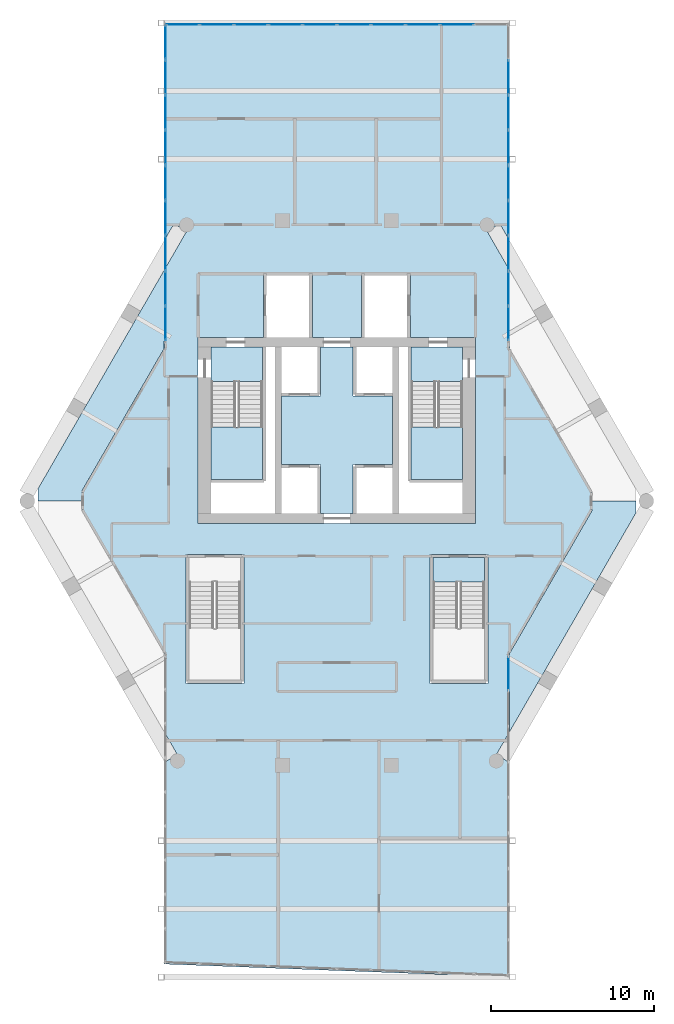
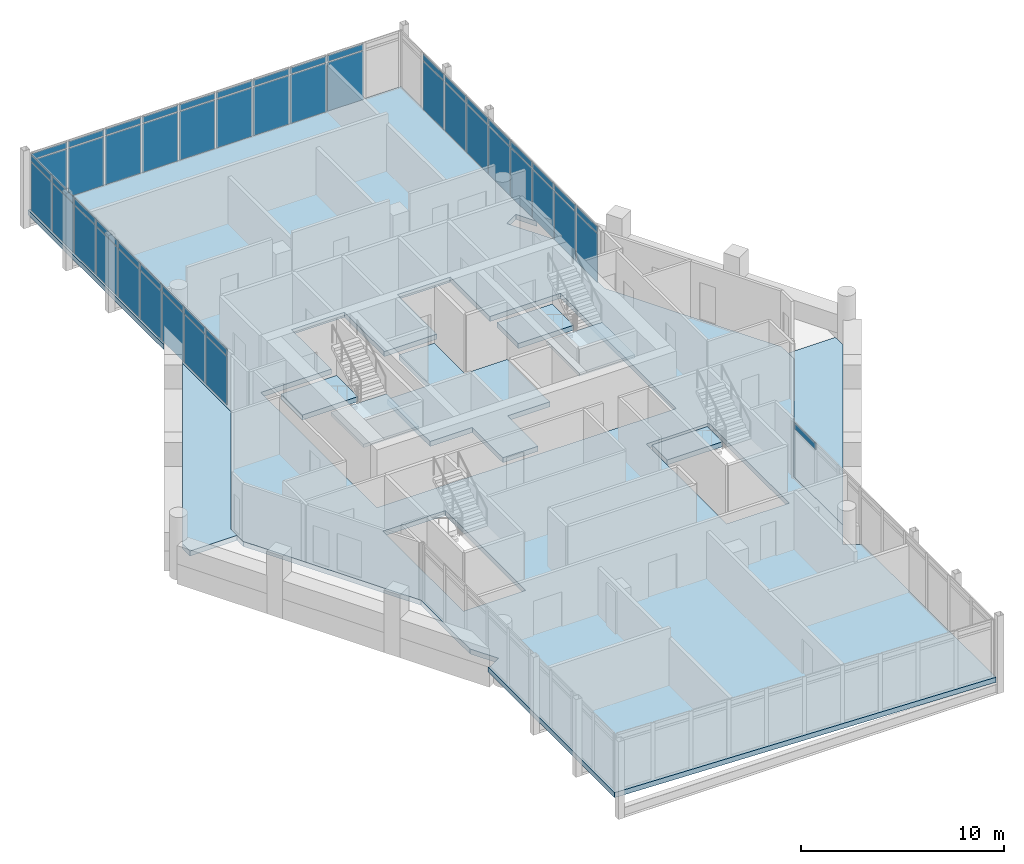
# One storey, part 19 of 25: 53 plates, 9 slabs, 6 elements without a shape of their own.
"""IFC4 building model written with IfcOpenShell, lengths in metres."""

import ifcopenshell
import ifcopenshell.guid

model = None  # the IFC model being written
_history = None  # IfcOwnerHistory: only IFC2X3 demands one
_inside = {}  # id of a spatial element -> (the spatial element, [elements in it])
_under = {}  # id of a project, library or spatial element -> (it, [spatial elements below it])
_declared = {}  # id of a project -> (the project, [libraries it declares])
_typed = {}  # id of a type object -> (the type object, [elements of that type])
_made_of = {}  # id of a material, layer set ... -> (it, [elements and type objects made of it])


def new_model(schema):
    """Start an empty IFC model of exactly this schema.

    Asked for "IFC4X3", IfcOpenShell would pick the latest addendum, in which some entities
    have other attributes; the version numbers below select the first issue.
    IFC2X3 requires an IfcOwnerHistory on every rooted entity: one is made here for all.
    """
    global model, _history
    if schema == "IFC4X3":
        model = ifcopenshell.file(schema_version=(4, 3, 0, 0))
    else:
        model = ifcopenshell.file(schema=schema)
    _inside.clear()
    _under.clear()
    _declared.clear()
    _typed.clear()
    _made_of.clear()
    _history = None
    if model.schema == "IFC2X3":
        org = make("IfcOrganization", Name="unknown")
        user = make(
            "IfcPersonAndOrganization",
            ThePerson=make("IfcPerson", FamilyName="unknown"),
            TheOrganization=org,
        )
        app = make(
            "IfcApplication",
            ApplicationDeveloper=org,
            Version="unknown",
            ApplicationFullName="unknown",
            ApplicationIdentifier="unknown",
        )
        _history = make(
            "IfcOwnerHistory",
            OwningUser=user,
            OwningApplication=app,
            ChangeAction="ADDED",
            CreationDate=0,
        )
    return model


def make(cls, **values):
    """One entity of the class cls with the attributes given. An attribute that is None is left unset."""
    return model.create_entity(
        cls, **{name: value for name, value in values.items() if value is not None}
    )


def rooted(cls, **values):
    """An entity with a GlobalId (a new one), such as an element, a storey or a relation."""
    return make(cls, GlobalId=ifcopenshell.guid.new(), OwnerHistory=_history, **values)


def si_unit(unit_type, name, prefix=None):
    """IfcSIUnit, for example si_unit("LENGTHUNIT", "METRE", prefix="MILLI")."""
    return make("IfcSIUnit", UnitType=unit_type, Prefix=prefix, Name=name)


def assignment(units):
    """IfcUnitAssignment: the units of a project."""
    return None if units is None else make("IfcUnitAssignment", Units=units)


def point(xyz):
    """IfcCartesianPoint."""
    return None if xyz is None else make("IfcCartesianPoint", Coordinates=xyz)


def direction(xyz):
    """IfcDirection."""
    return None if xyz is None else make("IfcDirection", DirectionRatios=xyz)


def frame(location, z_axis=None, x_axis=None):
    """IfcAxis2Placement3D, a coordinate frame: its origin and axes. An axis left out is left unset."""
    return make(
        "IfcAxis2Placement3D",
        Location=point(location),
        Axis=direction(z_axis),
        RefDirection=direction(x_axis),
    )


def frame_2d(location, x_axis=None):
    """IfcAxis2Placement2D, a coordinate frame in the plane: its origin and x axis."""
    return make(
        "IfcAxis2Placement2D", Location=point(location), RefDirection=direction(x_axis)
    )


def origin():
    """The frame at (0, 0, 0) with its axes left unset."""
    return frame((0.0, 0.0, 0.0))


def origin_2d():
    """The frame at (0, 0) in the plane with its x axis left unset."""
    return frame_2d((0.0, 0.0))


def place(relative_to, where):
    """IfcLocalPlacement: puts the frame where relative to a parent placement (None: the world)."""
    return make(
        "IfcLocalPlacement", PlacementRelTo=relative_to, RelativePlacement=where
    )


def context(
    kind, dimensions, precision=None, world=None, true_north=None, identifier=None
):
    """IfcGeometricRepresentationContext, for example the 3D "Model" context."""
    return make(
        "IfcGeometricRepresentationContext",
        ContextIdentifier=identifier,
        ContextType=kind,
        CoordinateSpaceDimension=dimensions,
        Precision=precision,
        WorldCoordinateSystem=world,
        TrueNorth=true_north,
    )


def subcontext(parent, identifier, kind, view, scale=None):
    """IfcGeometricRepresentationSubContext, for example "Body" below "Model"."""
    return make(
        "IfcGeometricRepresentationSubContext",
        ContextIdentifier=identifier,
        ContextType=kind,
        ParentContext=parent,
        TargetScale=scale,
        TargetView=view,
    )


def project(units=None, contexts=None):
    """IfcProject with its units and contexts."""
    return rooted(
        "IfcProject",
        Name="project",
        RepresentationContexts=contexts,
        UnitsInContext=assignment(units),
    )


def spatial(cls, under=None, at=None, **own):
    """A site, building, storey or space (cls), placed at a placement, below another one or the project."""
    s = rooted(cls, ObjectPlacement=at, **own)
    if under is not None:
        _under.setdefault(under.id(), (under, []))[1].append(s)
    return s


def polyline(points):
    """IfcPolyline through the points."""
    return make("IfcPolyline", Points=[point(p) for p in points])


def profile(cls, at=None, kind="AREA", **sizes):
    """A parametric profile (cls). Its sizes go by their IFC names, for example OverallWidth=200.0."""
    return make(cls, ProfileType=kind, Position=at, **sizes)


def rectangle(**sizes):
    """IfcRectangleProfileDef."""
    return profile("IfcRectangleProfileDef", **sizes)


def outline(outer, holes=None, kind="AREA"):
    """IfcArbitraryClosedProfileDef: a profile drawn as a closed curve; with holes, ...WithVoids."""
    if holes is None:
        return make("IfcArbitraryClosedProfileDef", ProfileType=kind, OuterCurve=outer)
    return make(
        "IfcArbitraryProfileDefWithVoids",
        ProfileType=kind,
        OuterCurve=outer,
        InnerCurves=holes,
    )


def extrude(swept, where, along, depth):
    """IfcExtrudedAreaSolid: the profile swept, set in the frame where, extruded along a direction by depth."""
    return make(
        "IfcExtrudedAreaSolid",
        SweptArea=swept,
        Position=where,
        ExtrudedDirection=direction(along),
        Depth=depth,
    )


def shape(context_of_items, identifier, shape_type, items):
    """IfcShapeRepresentation: the items that make up one representation, for example the "Body"."""
    return make(
        "IfcShapeRepresentation",
        ContextOfItems=context_of_items,
        RepresentationIdentifier=identifier,
        RepresentationType=shape_type,
        Items=items,
    )


def material(Name=None, Category=None):
    """IfcMaterial."""
    return make("IfcMaterial", Name=Name, Category=Category)


def layer(
    of_material, thickness, ventilated=None, Name=None, Category=None, Priority=None
):
    """IfcMaterialLayer: one layer of a wall or slab, of a material (None: an air gap)."""
    return make(
        "IfcMaterialLayer",
        Material=of_material,
        LayerThickness=thickness,
        IsVentilated=ventilated,
        Name=Name,
        Category=Category,
        Priority=Priority,
    )


def layer_set(layers, Name=None):
    """IfcMaterialLayerSet."""
    return make("IfcMaterialLayerSet", MaterialLayers=layers, LayerSetName=Name)


def made_of(thing, what):
    """Note that an element or type object is made of a material, layer set ...; save() writes the relation."""
    if what is not None:
        _made_of.setdefault(what.id(), (what, []))[1].append(thing)
    return thing


def type_object(cls, material=None, **own):
    """A type object (cls), such as IfcWallType, which elements share."""
    return made_of(rooted(cls, **own), material)


def element(
    cls,
    number,
    at=None,
    inside=None,
    cuts=None,
    type_object=None,
    material=None,
    context=None,
    identifier="Body",
    shape_type=None,
    held_by="IfcProductDefinitionShape",
    body=None,
    shapes=None,
    **own,
):
    """One element of the class cls, such as IfcWall. Its Tag is "e" and its number.

    at: its placement. inside: the storey or other place that contains it. cuts: it is an
    opening in that element (IfcRelVoidsElement). A single representation is given by context,
    identifier, shape_type and body (its items); several are given by shapes. held_by: the class
    of the entity that holds the representations. save() writes the other relations.
    """
    e = rooted(cls, Tag="e%d" % number, ObjectPlacement=at, **own)
    if body is not None:
        shapes = [shape(context, identifier, shape_type, body)]
    if shapes is not None:
        e.Representation = make(held_by, Representations=shapes)
    if inside is not None:
        _inside.setdefault(inside.id(), (inside, []))[1].append(e)
    if cuts is not None:
        rooted(
            "IfcRelVoidsElement", RelatingBuildingElement=cuts, RelatedOpeningElement=e
        )
    if type_object is not None:
        _typed.setdefault(type_object.id(), (type_object, []))[1].append(e)
    return made_of(e, material)


def aggregate(whole, parts):
    """IfcRelAggregates: a whole, such as a stair, and the parts it consists of."""
    return rooted("IfcRelAggregates", RelatingObject=whole, RelatedObjects=parts)


def save(model, path):
    """Write the relations noted so far, then the file.

    IfcRelAggregates (storeys below a building ...), IfcRelContainedInSpatialStructure (elements
    in a storey), IfcRelDefinesByType, IfcRelAssociatesMaterial and IfcRelDeclares: one each for
    every whole, place, type object, material and project.
    """
    for whole, parts in _under.values():
        aggregate(whole, parts)
    for where, things in _inside.values():
        rooted(
            "IfcRelContainedInSpatialStructure",
            RelatedElements=things,
            RelatingStructure=where,
        )
    for kind, things in _typed.values():
        rooted("IfcRelDefinesByType", RelatedObjects=things, RelatingType=kind)
    for what, things in _made_of.values():
        rooted("IfcRelAssociatesMaterial", RelatedObjects=things, RelatingMaterial=what)
    for by, libraries in _declared.values():
        rooted("IfcRelDeclares", RelatingContext=by, RelatedDefinitions=libraries)
    model.write(path)


model = new_model("IFC4")

# Units and contexts
model_context = context("Model", 3, precision=1e-05, world=origin(), true_north=direction((0.0, 1.0)))
body_context = subcontext(model_context, "Body", "Model", "MODEL_VIEW")
ifc_project = project(units=[si_unit("LENGTHUNIT", "METRE"), si_unit("AREAUNIT", "SQUARE_METRE"), si_unit("VOLUMEUNIT", "CUBIC_METRE"), si_unit("PLANEANGLEUNIT", "RADIAN"), si_unit("MASSUNIT", "GRAM", prefix="KILO")], contexts=[model_context])

# Site, building, storey
site_placement = place(None, origin())
site = spatial("IfcSite", under=ifc_project, at=site_placement, CompositionType="ELEMENT")
building_placement = place(site_placement, origin())
building = spatial("IfcBuilding", under=site, at=building_placement, Name="Ostrander Bayou Hotel Tower", CompositionType="ELEMENT")
storey_placement = place(building_placement, frame((0.0, 0.0, 233.25)))
storey = spatial("IfcBuildingStorey", under=building, at=storey_placement, Name="L58", CompositionType="ELEMENT", Elevation=233.25)

# Curtain wall, plate
ifc_material_1 = material(Name="Aluminium and clear glass", Category="aluminium")
curtain_wall_type = type_object("IfcCurtainWallType", Name="CW-BAR glazed wall", PredefinedType="NOTDEFINED", material=ifc_material_1)
curtain_wall_1_placement = place(storey_placement, origin())
curtain_wall_1 = element("IfcCurtainWall", 1, at=curtain_wall_1_placement, inside=storey, type_object=curtain_wall_type, Name="CW-BAR L58:SB5S:W", PredefinedType="NOTDEFINED")
ifc_material_2 = material(Name="Clear laminated glass", Category="glass")
ifc_layer_1 = layer(ifc_material_2, 0.028076171875)
ifc_layer_set_1 = layer_set([ifc_layer_1], Name="CW-BR glazing panel 28 mm")
plate_type = type_object("IfcPlateType", Name="CW-BR glazing panel 28 mm", PredefinedType="CURTAIN_PANEL", material=ifc_layer_set_1)
plate_1_placement = place(storey_placement, frame((10.51220703125, -10.896484375, 3.02978515625), z_axis=(0.0, 0.0, 1.0), x_axis=(0.0, -1.0, 0.0)))
plate_1 = element("IfcPlate", 2, at=plate_1_placement, type_object=plate_type, Name="CW-BAR panel 1.2", PredefinedType="CURTAIN_PANEL", context=body_context, shape_type="SweptSolid", body=[
    extrude(rectangle(XDim=2.08837890625, YDim=0.028076171875, at=origin_2d()), origin(), (0.0, 0.0, 1.0), 0.360107421875),
])
aggregate(curtain_wall_1, [plate_1])

# Curtain wall, plates
curtain_wall_2_placement = place(storey_placement, origin())
curtain_wall_2 = element("IfcCurtainWall", 3, at=curtain_wall_2_placement, inside=storey, type_object=curtain_wall_type, Name="CW-BAR L58:SB5N:E", PredefinedType="NOTDEFINED")
plate_2_placement = place(storey_placement, frame((-10.51220703125, 10.557861328125, 0.06005859375), z_axis=(0.0, 0.0, 1.0), x_axis=(0.0, 1.0, 0.0)))
plate_2 = element("IfcPlate", 4, at=plate_2_placement, type_object=plate_type, Name="CW-BAR panel 1.1", PredefinedType="CURTAIN_PANEL", context=body_context, shape_type="SweptSolid", body=[
    extrude(rectangle(XDim=2.065673828125, YDim=0.028076171875, at=origin_2d()), origin(), (0.0, 0.0, 1.0), 2.909912109375),
])
plate_3_placement = place(storey_placement, frame((-10.51220703125, 10.557861328125, 3.02978515625), z_axis=(0.0, 0.0, 1.0), x_axis=(0.0, 1.0, 0.0)))
plate_3 = element("IfcPlate", 5, at=plate_3_placement, type_object=plate_type, Name="CW-BAR panel 1.2", PredefinedType="CURTAIN_PANEL", context=body_context, shape_type="SweptSolid", body=[
    extrude(rectangle(XDim=2.065673828125, YDim=0.028076171875, at=origin_2d()), origin(), (0.0, 0.0, 1.0), 0.360107421875),
])
plate_4_placement = place(storey_placement, frame((-10.51220703125, 12.698486328125, 0.06005859375), z_axis=(0.0, 0.0, 1.0), x_axis=(0.0, 1.0, 0.0)))
plate_4 = element("IfcPlate", 6, at=plate_4_placement, type_object=plate_type, Name="CW-BAR panel 2.1", PredefinedType="CURTAIN_PANEL", context=body_context, shape_type="SweptSolid", body=[
    extrude(rectangle(XDim=2.095703125, YDim=0.028076171875, at=origin_2d()), origin(), (0.0, 0.0, 1.0), 2.909912109375),
])
plate_5_placement = place(storey_placement, frame((-10.51220703125, 12.698486328125, 3.02978515625), z_axis=(0.0, 0.0, 1.0), x_axis=(0.0, 1.0, 0.0)))
plate_5 = element("IfcPlate", 7, at=plate_5_placement, type_object=plate_type, Name="CW-BAR panel 2.2", PredefinedType="CURTAIN_PANEL", context=body_context, shape_type="SweptSolid", body=[
    extrude(rectangle(XDim=2.095703125, YDim=0.028076171875, at=origin_2d()), origin(), (0.0, 0.0, 1.0), 0.360107421875),
])
plate_6_placement = place(storey_placement, frame((-10.51220703125, 14.854248046875, 0.06005859375), z_axis=(0.0, 0.0, 1.0), x_axis=(0.0, 1.0, 0.0)))
plate_6 = element("IfcPlate", 8, at=plate_6_placement, type_object=plate_type, Name="CW-BAR panel 3.1", PredefinedType="CURTAIN_PANEL", context=body_context, shape_type="SweptSolid", body=[
    extrude(rectangle(XDim=2.095703125, YDim=0.028076171875, at=origin_2d()), origin(), (0.0, 0.0, 1.0), 2.909912109375),
])
plate_7_placement = place(storey_placement, frame((-10.51220703125, 14.854248046875, 3.02978515625), z_axis=(0.0, 0.0, 1.0), x_axis=(0.0, 1.0, 0.0)))
plate_7 = element("IfcPlate", 9, at=plate_7_placement, type_object=plate_type, Name="CW-BAR panel 3.2", PredefinedType="CURTAIN_PANEL", context=body_context, shape_type="SweptSolid", body=[
    extrude(rectangle(XDim=2.095703125, YDim=0.028076171875, at=origin_2d()), origin(), (0.0, 0.0, 1.0), 0.360107421875),
])
plate_8_placement = place(storey_placement, frame((-10.51220703125, 17.010009765625, 0.06005859375), z_axis=(0.0, 0.0, 1.0), x_axis=(0.0, 1.0, 0.0)))
plate_8 = element("IfcPlate", 10, at=plate_8_placement, type_object=plate_type, Name="CW-BAR panel 4.1", PredefinedType="CURTAIN_PANEL", context=body_context, shape_type="SweptSolid", body=[
    extrude(rectangle(XDim=2.095703125, YDim=0.028076171875, at=origin_2d()), origin(), (0.0, 0.0, 1.0), 2.909912109375),
])
plate_9_placement = place(storey_placement, frame((-10.51220703125, 17.010009765625, 3.02978515625), z_axis=(0.0, 0.0, 1.0), x_axis=(0.0, 1.0, 0.0)))
plate_9 = element("IfcPlate", 11, at=plate_9_placement, type_object=plate_type, Name="CW-BAR panel 4.2", PredefinedType="CURTAIN_PANEL", context=body_context, shape_type="SweptSolid", body=[
    extrude(rectangle(XDim=2.095703125, YDim=0.028076171875, at=origin_2d()), origin(), (0.0, 0.0, 1.0), 0.360107421875),
])
plate_10_placement = place(storey_placement, frame((-10.51220703125, 19.165771484375, 0.06005859375), z_axis=(0.0, 0.0, 1.0), x_axis=(0.0, 1.0, 0.0)))
plate_10 = element("IfcPlate", 12, at=plate_10_placement, type_object=plate_type, Name="CW-BAR panel 5.1", PredefinedType="CURTAIN_PANEL", context=body_context, shape_type="SweptSolid", body=[
    extrude(rectangle(XDim=2.095703125, YDim=0.028076171875, at=origin_2d()), origin(), (0.0, 0.0, 1.0), 2.909912109375),
])
plate_11_placement = place(storey_placement, frame((-10.51220703125, 19.165771484375, 3.02978515625), z_axis=(0.0, 0.0, 1.0), x_axis=(0.0, 1.0, 0.0)))
plate_11 = element("IfcPlate", 13, at=plate_11_placement, type_object=plate_type, Name="CW-BAR panel 5.2", PredefinedType="CURTAIN_PANEL", context=body_context, shape_type="SweptSolid", body=[
    extrude(rectangle(XDim=2.095703125, YDim=0.028076171875, at=origin_2d()), origin(), (0.0, 0.0, 1.0), 0.360107421875),
])
plate_12_placement = place(storey_placement, frame((-10.51220703125, 21.321533203125, 0.06005859375), z_axis=(0.0, 0.0, 1.0), x_axis=(0.0, 1.0, 0.0)))
plate_12 = element("IfcPlate", 14, at=plate_12_placement, type_object=plate_type, Name="CW-BAR panel 6.1", PredefinedType="CURTAIN_PANEL", context=body_context, shape_type="SweptSolid", body=[
    extrude(rectangle(XDim=2.095703125, YDim=0.028076171875, at=origin_2d()), origin(), (0.0, 0.0, 1.0), 2.909912109375),
])
plate_13_placement = place(storey_placement, frame((-10.51220703125, 21.321533203125, 3.02978515625), z_axis=(0.0, 0.0, 1.0), x_axis=(0.0, 1.0, 0.0)))
plate_13 = element("IfcPlate", 15, at=plate_13_placement, type_object=plate_type, Name="CW-BAR panel 6.2", PredefinedType="CURTAIN_PANEL", context=body_context, shape_type="SweptSolid", body=[
    extrude(rectangle(XDim=2.095703125, YDim=0.028076171875, at=origin_2d()), origin(), (0.0, 0.0, 1.0), 0.360107421875),
])
plate_14_placement = place(storey_placement, frame((-10.51220703125, 23.477294921875, 0.06005859375), z_axis=(0.0, 0.0, 1.0), x_axis=(0.0, 1.0, 0.0)))
plate_14 = element("IfcPlate", 16, at=plate_14_placement, type_object=plate_type, Name="CW-BAR panel 7.1", PredefinedType="CURTAIN_PANEL", context=body_context, shape_type="SweptSolid", body=[
    extrude(rectangle(XDim=2.095703125, YDim=0.028076171875, at=origin_2d()), origin(), (0.0, 0.0, 1.0), 2.909912109375),
])
plate_15_placement = place(storey_placement, frame((-10.51220703125, 23.477294921875, 3.02978515625), z_axis=(0.0, 0.0, 1.0), x_axis=(0.0, 1.0, 0.0)))
plate_15 = element("IfcPlate", 17, at=plate_15_placement, type_object=plate_type, Name="CW-BAR panel 7.2", PredefinedType="CURTAIN_PANEL", context=body_context, shape_type="SweptSolid", body=[
    extrude(rectangle(XDim=2.095703125, YDim=0.028076171875, at=origin_2d()), origin(), (0.0, 0.0, 1.0), 0.360107421875),
])
plate_16_placement = place(storey_placement, frame((-10.51220703125, 25.633056640625, 0.06005859375), z_axis=(0.0, 0.0, 1.0), x_axis=(0.0, 1.0, 0.0)))
plate_16 = element("IfcPlate", 18, at=plate_16_placement, type_object=plate_type, Name="CW-BAR panel 8.1", PredefinedType="CURTAIN_PANEL", context=body_context, shape_type="SweptSolid", body=[
    extrude(rectangle(XDim=2.095703125, YDim=0.028076171875, at=origin_2d()), origin(), (0.0, 0.0, 1.0), 2.909912109375),
])
plate_17_placement = place(storey_placement, frame((-10.51220703125, 25.633056640625, 3.02978515625), z_axis=(0.0, 0.0, 1.0), x_axis=(0.0, 1.0, 0.0)))
plate_17 = element("IfcPlate", 19, at=plate_17_placement, type_object=plate_type, Name="CW-BAR panel 8.2", PredefinedType="CURTAIN_PANEL", context=body_context, shape_type="SweptSolid", body=[
    extrude(rectangle(XDim=2.095703125, YDim=0.028076171875, at=origin_2d()), origin(), (0.0, 0.0, 1.0), 0.360107421875),
])
plate_18_placement = place(storey_placement, frame((-10.51220703125, 27.773681640625, 0.06005859375), z_axis=(0.0, 0.0, 1.0), x_axis=(0.0, 1.0, 0.0)))
plate_18 = element("IfcPlate", 20, at=plate_18_placement, type_object=plate_type, Name="CW-BAR panel 9.1", PredefinedType="CURTAIN_PANEL", context=body_context, shape_type="SweptSolid", body=[
    extrude(rectangle(XDim=2.065673828125, YDim=0.028076171875, at=origin_2d()), origin(), (0.0, 0.0, 1.0), 2.909912109375),
])
plate_19_placement = place(storey_placement, frame((-10.51220703125, 27.773681640625, 3.02978515625), z_axis=(0.0, 0.0, 1.0), x_axis=(0.0, 1.0, 0.0)))
plate_19 = element("IfcPlate", 21, at=plate_19_placement, type_object=plate_type, Name="CW-BAR panel 9.2", PredefinedType="CURTAIN_PANEL", context=body_context, shape_type="SweptSolid", body=[
    extrude(rectangle(XDim=2.065673828125, YDim=0.028076171875, at=origin_2d()), origin(), (0.0, 0.0, 1.0), 0.360107421875),
])
aggregate(curtain_wall_2, [plate_2, plate_3, plate_4, plate_5, plate_6, plate_7, plate_8, plate_9, plate_10, plate_11, plate_12, plate_13, plate_14, plate_15, plate_16, plate_17, plate_18, plate_19])

curtain_wall_3_placement = place(storey_placement, origin())
curtain_wall_3 = element("IfcCurtainWall", 22, at=curtain_wall_3_placement, inside=storey, type_object=curtain_wall_type, Name="CW-BAR L58:SB5N:T", PredefinedType="NOTDEFINED")
plate_20_placement = place(storey_placement, frame((-9.446044921875, 28.86669921875, 0.06005859375), z_axis=(0.0, 0.0, 1.0), x_axis=(1.0, 0.0, 0.0)))
plate_20 = element("IfcPlate", 23, at=plate_20_placement, type_object=plate_type, Name="CW-BAR panel 1.1", PredefinedType="CURTAIN_PANEL", context=body_context, shape_type="SweptSolid", body=[
    extrude(rectangle(XDim=2.012451171875, YDim=0.028076171875, at=origin_2d()), origin(), (0.0, 0.0, 1.0), 2.909912109375),
])
plate_21_placement = place(storey_placement, frame((-9.446044921875, 28.86669921875, 3.02978515625), z_axis=(0.0, 0.0, 1.0), x_axis=(1.0, 0.0, 0.0)))
plate_21 = element("IfcPlate", 24, at=plate_21_placement, type_object=plate_type, Name="CW-BAR panel 1.2", PredefinedType="CURTAIN_PANEL", context=body_context, shape_type="SweptSolid", body=[
    extrude(rectangle(XDim=2.012451171875, YDim=0.028076171875, at=origin_2d()), origin(), (0.0, 0.0, 1.0), 0.360107421875),
])
plate_22_placement = place(storey_placement, frame((-7.358642578125, 28.86669921875, 0.06005859375), z_axis=(0.0, 0.0, 1.0), x_axis=(1.0, 0.0, 0.0)))
plate_22 = element("IfcPlate", 25, at=plate_22_placement, type_object=plate_type, Name="CW-BAR panel 2.1", PredefinedType="CURTAIN_PANEL", context=body_context, shape_type="SweptSolid", body=[
    extrude(rectangle(XDim=2.04248046875, YDim=0.028076171875, at=origin_2d()), origin(), (0.0, 0.0, 1.0), 2.909912109375),
])
plate_23_placement = place(storey_placement, frame((-7.358642578125, 28.86669921875, 3.02978515625), z_axis=(0.0, 0.0, 1.0), x_axis=(1.0, 0.0, 0.0)))
plate_23 = element("IfcPlate", 26, at=plate_23_placement, type_object=plate_type, Name="CW-BAR panel 2.2", PredefinedType="CURTAIN_PANEL", context=body_context, shape_type="SweptSolid", body=[
    extrude(rectangle(XDim=2.04248046875, YDim=0.028076171875, at=origin_2d()), origin(), (0.0, 0.0, 1.0), 0.360107421875),
])
plate_24_placement = place(storey_placement, frame((-5.256103515625, 28.86669921875, 0.06005859375), z_axis=(0.0, 0.0, 1.0), x_axis=(1.0, 0.0, 0.0)))
plate_24 = element("IfcPlate", 27, at=plate_24_placement, type_object=plate_type, Name="CW-BAR panel 3.1", PredefinedType="CURTAIN_PANEL", context=body_context, shape_type="SweptSolid", body=[
    extrude(rectangle(XDim=2.04248046875, YDim=0.028076171875, at=origin_2d()), origin(), (0.0, 0.0, 1.0), 2.909912109375),
])
plate_25_placement = place(storey_placement, frame((-5.256103515625, 28.86669921875, 3.02978515625), z_axis=(0.0, 0.0, 1.0), x_axis=(1.0, 0.0, 0.0)))
plate_25 = element("IfcPlate", 28, at=plate_25_placement, type_object=plate_type, Name="CW-BAR panel 3.2", PredefinedType="CURTAIN_PANEL", context=body_context, shape_type="SweptSolid", body=[
    extrude(rectangle(XDim=2.04248046875, YDim=0.028076171875, at=origin_2d()), origin(), (0.0, 0.0, 1.0), 0.360107421875),
])
plate_26_placement = place(storey_placement, frame((-3.153564453125, 28.86669921875, 0.06005859375), z_axis=(0.0, 0.0, 1.0), x_axis=(1.0, 0.0, 0.0)))
plate_26 = element("IfcPlate", 29, at=plate_26_placement, type_object=plate_type, Name="CW-BAR panel 4.1", PredefinedType="CURTAIN_PANEL", context=body_context, shape_type="SweptSolid", body=[
    extrude(rectangle(XDim=2.04248046875, YDim=0.028076171875, at=origin_2d()), origin(), (0.0, 0.0, 1.0), 2.909912109375),
])
plate_27_placement = place(storey_placement, frame((-3.153564453125, 28.86669921875, 3.02978515625), z_axis=(0.0, 0.0, 1.0), x_axis=(1.0, 0.0, 0.0)))
plate_27 = element("IfcPlate", 30, at=plate_27_placement, type_object=plate_type, Name="CW-BAR panel 4.2", PredefinedType="CURTAIN_PANEL", context=body_context, shape_type="SweptSolid", body=[
    extrude(rectangle(XDim=2.04248046875, YDim=0.028076171875, at=origin_2d()), origin(), (0.0, 0.0, 1.0), 0.360107421875),
])
plate_28_placement = place(storey_placement, frame((-1.05126953125, 28.86669921875, 0.06005859375), z_axis=(0.0, 0.0, 1.0), x_axis=(1.0, 0.0, 0.0)))
plate_28 = element("IfcPlate", 31, at=plate_28_placement, type_object=plate_type, Name="CW-BAR panel 5.1", PredefinedType="CURTAIN_PANEL", context=body_context, shape_type="SweptSolid", body=[
    extrude(rectangle(XDim=2.04248046875, YDim=0.028076171875, at=origin_2d()), origin(), (0.0, 0.0, 1.0), 2.909912109375),
])
plate_29_placement = place(storey_placement, frame((-1.05126953125, 28.86669921875, 3.02978515625), z_axis=(0.0, 0.0, 1.0), x_axis=(1.0, 0.0, 0.0)))
plate_29 = element("IfcPlate", 32, at=plate_29_placement, type_object=plate_type, Name="CW-BAR panel 5.2", PredefinedType="CURTAIN_PANEL", context=body_context, shape_type="SweptSolid", body=[
    extrude(rectangle(XDim=2.04248046875, YDim=0.028076171875, at=origin_2d()), origin(), (0.0, 0.0, 1.0), 0.360107421875),
])
plate_30_placement = place(storey_placement, frame((1.05126953125, 28.86669921875, 0.06005859375), z_axis=(0.0, 0.0, 1.0), x_axis=(1.0, 0.0, 0.0)))
plate_30 = element("IfcPlate", 33, at=plate_30_placement, type_object=plate_type, Name="CW-BAR panel 6.1", PredefinedType="CURTAIN_PANEL", context=body_context, shape_type="SweptSolid", body=[
    extrude(rectangle(XDim=2.04248046875, YDim=0.028076171875, at=origin_2d()), origin(), (0.0, 0.0, 1.0), 2.909912109375),
])
plate_31_placement = place(storey_placement, frame((1.05126953125, 28.86669921875, 3.02978515625), z_axis=(0.0, 0.0, 1.0), x_axis=(1.0, 0.0, 0.0)))
plate_31 = element("IfcPlate", 34, at=plate_31_placement, type_object=plate_type, Name="CW-BAR panel 6.2", PredefinedType="CURTAIN_PANEL", context=body_context, shape_type="SweptSolid", body=[
    extrude(rectangle(XDim=2.04248046875, YDim=0.028076171875, at=origin_2d()), origin(), (0.0, 0.0, 1.0), 0.360107421875),
])
plate_32_placement = place(storey_placement, frame((3.153564453125, 28.86669921875, 0.06005859375), z_axis=(0.0, 0.0, 1.0), x_axis=(1.0, 0.0, 0.0)))
plate_32 = element("IfcPlate", 35, at=plate_32_placement, type_object=plate_type, Name="CW-BAR panel 7.1", PredefinedType="CURTAIN_PANEL", context=body_context, shape_type="SweptSolid", body=[
    extrude(rectangle(XDim=2.04248046875, YDim=0.028076171875, at=origin_2d()), origin(), (0.0, 0.0, 1.0), 2.909912109375),
])
plate_33_placement = place(storey_placement, frame((3.153564453125, 28.86669921875, 3.02978515625), z_axis=(0.0, 0.0, 1.0), x_axis=(1.0, 0.0, 0.0)))
plate_33 = element("IfcPlate", 36, at=plate_33_placement, type_object=plate_type, Name="CW-BAR panel 7.2", PredefinedType="CURTAIN_PANEL", context=body_context, shape_type="SweptSolid", body=[
    extrude(rectangle(XDim=2.04248046875, YDim=0.028076171875, at=origin_2d()), origin(), (0.0, 0.0, 1.0), 0.360107421875),
])
plate_34_placement = place(storey_placement, frame((5.256103515625, 28.86669921875, 0.06005859375), z_axis=(0.0, 0.0, 1.0), x_axis=(1.0, 0.0, 0.0)))
plate_34 = element("IfcPlate", 37, at=plate_34_placement, type_object=plate_type, Name="CW-BAR panel 8.1", PredefinedType="CURTAIN_PANEL", context=body_context, shape_type="SweptSolid", body=[
    extrude(rectangle(XDim=2.04248046875, YDim=0.028076171875, at=origin_2d()), origin(), (0.0, 0.0, 1.0), 2.909912109375),
])
plate_35_placement = place(storey_placement, frame((5.256103515625, 28.86669921875, 3.02978515625), z_axis=(0.0, 0.0, 1.0), x_axis=(1.0, 0.0, 0.0)))
plate_35 = element("IfcPlate", 38, at=plate_35_placement, type_object=plate_type, Name="CW-BAR panel 8.2", PredefinedType="CURTAIN_PANEL", context=body_context, shape_type="SweptSolid", body=[
    extrude(rectangle(XDim=2.04248046875, YDim=0.028076171875, at=origin_2d()), origin(), (0.0, 0.0, 1.0), 0.360107421875),
])
plate_36_placement = place(storey_placement, frame((7.358642578125, 28.86669921875, 0.06005859375), z_axis=(0.0, 0.0, 1.0), x_axis=(1.0, 0.0, 0.0)))
plate_36 = element("IfcPlate", 39, at=plate_36_placement, type_object=plate_type, Name="CW-BAR panel 9.1", PredefinedType="CURTAIN_PANEL", context=body_context, shape_type="SweptSolid", body=[
    extrude(rectangle(XDim=2.04248046875, YDim=0.028076171875, at=origin_2d()), origin(), (0.0, 0.0, 1.0), 2.909912109375),
])
plate_37_placement = place(storey_placement, frame((7.358642578125, 28.86669921875, 3.02978515625), z_axis=(0.0, 0.0, 1.0), x_axis=(1.0, 0.0, 0.0)))
plate_37 = element("IfcPlate", 40, at=plate_37_placement, type_object=plate_type, Name="CW-BAR panel 9.2", PredefinedType="CURTAIN_PANEL", context=body_context, shape_type="SweptSolid", body=[
    extrude(rectangle(XDim=2.04248046875, YDim=0.028076171875, at=origin_2d()), origin(), (0.0, 0.0, 1.0), 0.360107421875),
])
aggregate(curtain_wall_3, [plate_20, plate_21, plate_22, plate_23, plate_24, plate_25, plate_26, plate_27, plate_28, plate_29, plate_30, plate_31, plate_32, plate_33, plate_34, plate_35, plate_36, plate_37])

curtain_wall_4_placement = place(storey_placement, origin())
curtain_wall_4 = element("IfcCurtainWall", 41, at=curtain_wall_4_placement, inside=storey, type_object=curtain_wall_type, Name="CW-BAR L58:SB5N:W", PredefinedType="NOTDEFINED")
plate_38_placement = place(storey_placement, frame((10.51220703125, 10.557861328125, 0.06005859375), z_axis=(0.0, 0.0, 1.0), x_axis=(0.0, 1.0, 0.0)))
plate_38 = element("IfcPlate", 42, at=plate_38_placement, type_object=plate_type, Name="CW-BAR panel 1.1", PredefinedType="CURTAIN_PANEL", context=body_context, shape_type="SweptSolid", body=[
    extrude(rectangle(XDim=2.065673828125, YDim=0.028076171875, at=origin_2d()), origin(), (0.0, 0.0, 1.0), 2.909912109375),
])
plate_39_placement = place(storey_placement, frame((10.51220703125, 10.557861328125, 3.02978515625), z_axis=(0.0, 0.0, 1.0), x_axis=(0.0, 1.0, 0.0)))
plate_39 = element("IfcPlate", 43, at=plate_39_placement, type_object=plate_type, Name="CW-BAR panel 1.2", PredefinedType="CURTAIN_PANEL", context=body_context, shape_type="SweptSolid", body=[
    extrude(rectangle(XDim=2.065673828125, YDim=0.028076171875, at=origin_2d()), origin(), (0.0, 0.0, 1.0), 0.360107421875),
])
plate_40_placement = place(storey_placement, frame((10.51220703125, 12.698486328125, 0.06005859375), z_axis=(0.0, 0.0, 1.0), x_axis=(0.0, 1.0, 0.0)))
plate_40 = element("IfcPlate", 44, at=plate_40_placement, type_object=plate_type, Name="CW-BAR panel 2.1", PredefinedType="CURTAIN_PANEL", context=body_context, shape_type="SweptSolid", body=[
    extrude(rectangle(XDim=2.095703125, YDim=0.028076171875, at=origin_2d()), origin(), (0.0, 0.0, 1.0), 2.909912109375),
])
plate_41_placement = place(storey_placement, frame((10.51220703125, 12.698486328125, 3.02978515625), z_axis=(0.0, 0.0, 1.0), x_axis=(0.0, 1.0, 0.0)))
plate_41 = element("IfcPlate", 45, at=plate_41_placement, type_object=plate_type, Name="CW-BAR panel 2.2", PredefinedType="CURTAIN_PANEL", context=body_context, shape_type="SweptSolid", body=[
    extrude(rectangle(XDim=2.095703125, YDim=0.028076171875, at=origin_2d()), origin(), (0.0, 0.0, 1.0), 0.360107421875),
])
plate_42_placement = place(storey_placement, frame((10.51220703125, 14.854248046875, 0.06005859375), z_axis=(0.0, 0.0, 1.0), x_axis=(0.0, 1.0, 0.0)))
plate_42 = element("IfcPlate", 46, at=plate_42_placement, type_object=plate_type, Name="CW-BAR panel 3.1", PredefinedType="CURTAIN_PANEL", context=body_context, shape_type="SweptSolid", body=[
    extrude(rectangle(XDim=2.095703125, YDim=0.028076171875, at=origin_2d()), origin(), (0.0, 0.0, 1.0), 2.909912109375),
])
plate_43_placement = place(storey_placement, frame((10.51220703125, 14.854248046875, 3.02978515625), z_axis=(0.0, 0.0, 1.0), x_axis=(0.0, 1.0, 0.0)))
plate_43 = element("IfcPlate", 47, at=plate_43_placement, type_object=plate_type, Name="CW-BAR panel 3.2", PredefinedType="CURTAIN_PANEL", context=body_context, shape_type="SweptSolid", body=[
    extrude(rectangle(XDim=2.095703125, YDim=0.028076171875, at=origin_2d()), origin(), (0.0, 0.0, 1.0), 0.360107421875),
])
plate_44_placement = place(storey_placement, frame((10.51220703125, 17.010009765625, 0.06005859375), z_axis=(0.0, 0.0, 1.0), x_axis=(0.0, 1.0, 0.0)))
plate_44 = element("IfcPlate", 48, at=plate_44_placement, type_object=plate_type, Name="CW-BAR panel 4.1", PredefinedType="CURTAIN_PANEL", context=body_context, shape_type="SweptSolid", body=[
    extrude(rectangle(XDim=2.095703125, YDim=0.028076171875, at=origin_2d()), origin(), (0.0, 0.0, 1.0), 2.909912109375),
])
plate_45_placement = place(storey_placement, frame((10.51220703125, 17.010009765625, 3.02978515625), z_axis=(0.0, 0.0, 1.0), x_axis=(0.0, 1.0, 0.0)))
plate_45 = element("IfcPlate", 49, at=plate_45_placement, type_object=plate_type, Name="CW-BAR panel 4.2", PredefinedType="CURTAIN_PANEL", context=body_context, shape_type="SweptSolid", body=[
    extrude(rectangle(XDim=2.095703125, YDim=0.028076171875, at=origin_2d()), origin(), (0.0, 0.0, 1.0), 0.360107421875),
])
plate_46_placement = place(storey_placement, frame((10.51220703125, 19.165771484375, 0.06005859375), z_axis=(0.0, 0.0, 1.0), x_axis=(0.0, 1.0, 0.0)))
plate_46 = element("IfcPlate", 50, at=plate_46_placement, type_object=plate_type, Name="CW-BAR panel 5.1", PredefinedType="CURTAIN_PANEL", context=body_context, shape_type="SweptSolid", body=[
    extrude(rectangle(XDim=2.095703125, YDim=0.028076171875, at=origin_2d()), origin(), (0.0, 0.0, 1.0), 2.909912109375),
])
plate_47_placement = place(storey_placement, frame((10.51220703125, 19.165771484375, 3.02978515625), z_axis=(0.0, 0.0, 1.0), x_axis=(0.0, 1.0, 0.0)))
plate_47 = element("IfcPlate", 51, at=plate_47_placement, type_object=plate_type, Name="CW-BAR panel 5.2", PredefinedType="CURTAIN_PANEL", context=body_context, shape_type="SweptSolid", body=[
    extrude(rectangle(XDim=2.095703125, YDim=0.028076171875, at=origin_2d()), origin(), (0.0, 0.0, 1.0), 0.360107421875),
])
plate_48_placement = place(storey_placement, frame((10.51220703125, 21.321533203125, 0.06005859375), z_axis=(0.0, 0.0, 1.0), x_axis=(0.0, 1.0, 0.0)))
plate_48 = element("IfcPlate", 52, at=plate_48_placement, type_object=plate_type, Name="CW-BAR panel 6.1", PredefinedType="CURTAIN_PANEL", context=body_context, shape_type="SweptSolid", body=[
    extrude(rectangle(XDim=2.095703125, YDim=0.028076171875, at=origin_2d()), origin(), (0.0, 0.0, 1.0), 2.909912109375),
])
plate_49_placement = place(storey_placement, frame((10.51220703125, 21.321533203125, 3.02978515625), z_axis=(0.0, 0.0, 1.0), x_axis=(0.0, 1.0, 0.0)))
plate_49 = element("IfcPlate", 53, at=plate_49_placement, type_object=plate_type, Name="CW-BAR panel 6.2", PredefinedType="CURTAIN_PANEL", context=body_context, shape_type="SweptSolid", body=[
    extrude(rectangle(XDim=2.095703125, YDim=0.028076171875, at=origin_2d()), origin(), (0.0, 0.0, 1.0), 0.360107421875),
])
plate_50_placement = place(storey_placement, frame((10.51220703125, 23.477294921875, 0.06005859375), z_axis=(0.0, 0.0, 1.0), x_axis=(0.0, 1.0, 0.0)))
plate_50 = element("IfcPlate", 54, at=plate_50_placement, type_object=plate_type, Name="CW-BAR panel 7.1", PredefinedType="CURTAIN_PANEL", context=body_context, shape_type="SweptSolid", body=[
    extrude(rectangle(XDim=2.095703125, YDim=0.028076171875, at=origin_2d()), origin(), (0.0, 0.0, 1.0), 2.909912109375),
])
plate_51_placement = place(storey_placement, frame((10.51220703125, 23.477294921875, 3.02978515625), z_axis=(0.0, 0.0, 1.0), x_axis=(0.0, 1.0, 0.0)))
plate_51 = element("IfcPlate", 55, at=plate_51_placement, type_object=plate_type, Name="CW-BAR panel 7.2", PredefinedType="CURTAIN_PANEL", context=body_context, shape_type="SweptSolid", body=[
    extrude(rectangle(XDim=2.095703125, YDim=0.028076171875, at=origin_2d()), origin(), (0.0, 0.0, 1.0), 0.360107421875),
])
plate_52_placement = place(storey_placement, frame((10.51220703125, 25.633056640625, 0.06005859375), z_axis=(0.0, 0.0, 1.0), x_axis=(0.0, 1.0, 0.0)))
plate_52 = element("IfcPlate", 56, at=plate_52_placement, type_object=plate_type, Name="CW-BAR panel 8.1", PredefinedType="CURTAIN_PANEL", context=body_context, shape_type="SweptSolid", body=[
    extrude(rectangle(XDim=2.095703125, YDim=0.028076171875, at=origin_2d()), origin(), (0.0, 0.0, 1.0), 2.909912109375),
])
plate_53_placement = place(storey_placement, frame((10.51220703125, 25.633056640625, 3.02978515625), z_axis=(0.0, 0.0, 1.0), x_axis=(0.0, 1.0, 0.0)))
plate_53 = element("IfcPlate", 57, at=plate_53_placement, type_object=plate_type, Name="CW-BAR panel 8.2", PredefinedType="CURTAIN_PANEL", context=body_context, shape_type="SweptSolid", body=[
    extrude(rectangle(XDim=2.095703125, YDim=0.028076171875, at=origin_2d()), origin(), (0.0, 0.0, 1.0), 0.360107421875),
])
aggregate(curtain_wall_4, [plate_38, plate_39, plate_40, plate_41, plate_42, plate_43, plate_44, plate_45, plate_46, plate_47, plate_48, plate_49, plate_50, plate_51, plate_52, plate_53])

# Slabs
ifc_material_3 = material(Name="Concrete f'c 40 MPa", Category="concrete")
ifc_layer_2 = layer(ifc_material_3, 0.300048828125)
ifc_layer_set_2 = layer_set([ifc_layer_2], Name="SL1 floor slab 300 mm f'c 40 MPa")
slab_type_1 = type_object("IfcSlabType", Name="SL1 floor slab 300 mm f'c 40 MPa", PredefinedType="FLOOR", material=ifc_layer_set_2)
slab_1_placement = place(storey_placement, frame((0.0, 0.0, -0.300048828125)))
element("IfcSlab", 58, at=slab_1_placement, inside=storey, type_object=slab_type_1, Name="SL1 L58 1", PredefinedType="FLOOR", context=body_context, shape_type="SweptSolid", body=[
    extrude(outline(polyline([(-10.550537109375, -16.32568359375), (-9.771240234375, -15.875732421875), (-10.587158203125, -14.46240234375), (-10.587158203125, -9.662353515625), (-15.63037109375, -0.92724609375), (-15.63037109375, 0.272705078125), (-10.587158203125, 9.0078125), (-10.587158203125, 13.807861328125), (-9.204345703125, 16.202880859375), (-9.983642578125, 16.653076171875), (-10.587158203125, 15.60791015625), (-10.587158203125, 28.966552734375), (10.587158203125, 28.966552734375), (10.587158203125, 15.60791015625), (9.983642578125, 16.653076171875), (9.204345703125, 16.202880859375), (10.587158203125, 13.807861328125), (10.587158203125, 9.0078125), (15.63037109375, 0.272705078125), (15.63037109375, -0.92724609375), (10.587158203125, -9.662353515625), (10.587158203125, -14.46240234375), (9.771240234375, -15.875732421875), (10.550537109375, -16.32568359375), (10.587158203125, -16.262451171875), (10.587158203125, -29.5), (-10.587158203125, -28.699951171875), (-10.587158203125, -16.262451171875), (-10.550537109375, -16.32568359375)]), holes=[polyline([(9.25, -3.60009765625), (5.699951171875, -3.60009765625), (5.699951171875, -11.5), (9.25, -11.5), (9.25, -3.60009765625)]), polyline([(-8.5, -1.699951171875), (8.5, -1.699951171875), (8.5, 9.699951171875), (4.5, 9.699951171875), (4.5, 13.60009765625), (1.5, 13.60009765625), (1.5, 9.699951171875), (-1.5, 9.699951171875), (-1.5, 13.60009765625), (-4.5, 13.60009765625), (-4.5, 9.699951171875), (-8.5, 9.699951171875), (-8.5, -1.699951171875)]), polyline([(-5.699951171875, -3.60009765625), (-9.25, -3.60009765625), (-9.25, -11.5), (-5.699951171875, -11.5), (-5.699951171875, -3.60009765625)])]), origin(), (0.0, 0.0, 1.0), 0.300048828125),
])
slab_2_placement = place(storey_placement, frame((0.0, 0.0, -0.300048828125)))
element("IfcSlab", 59, at=slab_2_placement, inside=storey, type_object=slab_type_1, Name="cslab:L58:001", PredefinedType="FLOOR", context=body_context, shape_type="SweptSolid", body=[
    extrude(outline(polyline([(-3.39990234375, 6.10009765625), (-1.0, 6.10009765625), (-1.0, 9.10009765625), (1.0, 9.10009765625), (1.0, 6.10009765625), (3.39990234375, 6.10009765625), (3.39990234375, 1.89990234375), (1.0, 1.89990234375), (1.0, -1.10009765625), (-1.0, -1.10009765625), (-1.0, 1.89990234375), (-3.39990234375, 1.89990234375), (-3.39990234375, 6.10009765625)])), origin(), (0.0, 0.0, 1.0), 0.300048828125),
])
slab_3_placement = place(storey_placement, frame((0.0, 0.0, -0.300048828125)))
element("IfcSlab", 60, at=slab_3_placement, inside=storey, type_object=slab_type_1, Name="cslab:L58:002", PredefinedType="FLOOR", context=body_context, shape_type="SweptSolid", body=[
    extrude(outline(polyline([(-4.550048828125, 7.0), (-4.550048828125, 9.10009765625), (-7.699951171875, 9.10009765625), (-7.699951171875, 7.0), (-4.550048828125, 7.0)])), origin(), (0.0, 0.0, 1.0), 0.300048828125),
])
slab_4_placement = place(storey_placement, frame((0.0, 0.0, -0.300048828125)))
element("IfcSlab", 61, at=slab_4_placement, inside=storey, type_object=slab_type_1, Name="cslab:L58:003", PredefinedType="FLOOR", context=body_context, shape_type="SweptSolid", body=[
    extrude(outline(polyline([(7.699951171875, 7.0), (7.699951171875, 9.10009765625), (4.550048828125, 9.10009765625), (4.550048828125, 7.0), (7.699951171875, 7.0)])), origin(), (0.0, 0.0, 1.0), 0.300048828125),
])
slab_5_placement = place(storey_placement, frame((0.0, 0.0, -0.300048828125)))
element("IfcSlab", 62, at=slab_5_placement, inside=storey, type_object=slab_type_1, Name="cslab:L58:004", PredefinedType="FLOOR", context=body_context, shape_type="SweptSolid", body=[
    extrude(outline(polyline([(9.050048828125, -5.300048828125), (9.050048828125, -3.800048828125), (5.89990234375, -3.800048828125), (5.89990234375, -5.300048828125), (9.050048828125, -5.300048828125)])), origin(), (0.0, 0.0, 1.0), 0.300048828125),
])
ifc_material_4 = material(Name="Concrete f'c 40 MPa", Category="concrete")
ifc_layer_3 = layer(ifc_material_4, 0.300048828125)
ifc_layer_set_3 = layer_set([ifc_layer_3], Name="SL4 loggia slab 300 mm f'c 40 MPa")
slab_type_2 = type_object("IfcSlabType", Name="SL4 loggia slab 300 mm f'c 40 MPa", PredefinedType="FLOOR", material=ifc_layer_set_3)
slab_6_placement = place(storey_placement, frame((0.0, 0.0, -0.300048828125)))
element("IfcSlab", 63, at=slab_6_placement, inside=storey, type_object=slab_type_2, Name="SL4 LOGGIA L58 NW 1", PredefinedType="FLOOR", context=body_context, shape_type="SweptSolid", body=[
    extrude(outline(polyline([(-12.044677734375, 11.283447265625), (-10.587158203125, 13.807861328125), (-10.587158203125, 9.0078125), (-15.63037109375, 0.272705078125), (-15.63037109375, -0.327392578125), (-18.315185546875, -0.327392578125), (-18.315185546875, 0.422607421875), (-14.978271484375, 6.2021484375), (-12.464599609375, 10.555908203125), (-12.044677734375, 11.283447265625)])), origin(), (0.0, 0.0, 1.0), 0.300048828125),
])
slab_7_placement = place(storey_placement, frame((0.0, 0.0, -0.300048828125)))
element("IfcSlab", 64, at=slab_7_placement, inside=storey, type_object=slab_type_2, Name="SL4 LOGGIA L58 SE 1", PredefinedType="FLOOR", context=body_context, shape_type="SweptSolid", body=[
    extrude(outline(polyline([(15.63037109375, -0.327392578125), (18.315185546875, -0.327392578125), (18.315185546875, -1.077392578125), (10.587158203125, -14.46240234375), (10.587158203125, -9.662353515625), (15.63037109375, -0.92724609375), (15.63037109375, -0.327392578125)])), origin(), (0.0, 0.0, 1.0), 0.300048828125),
])

# Stair, slab
ifc_material_5 = material(Name="Concrete f'c 45 MPa", Category="concrete")
stair_type = type_object("IfcStairType", Name="ST1 exit stair 1500 mm f'c 45 MPa", PredefinedType="HALF_TURN_STAIR", material=ifc_material_5)
stair_1_placement = place(storey_placement, origin())
stair_1 = element("IfcStair", 65, at=stair_1_placement, inside=storey, type_object=stair_type, Name="L58 exit stair A", PredefinedType="HALF_TURN_STAIR")
ifc_material_6 = material(Name="Concrete f'c 45 MPa", Category="concrete")
ifc_layer_4 = layer(ifc_material_6, 0.199951171875)
ifc_layer_set_4 = layer_set([ifc_layer_4], Name="SL8 stair landing 200 mm f'c 45 MPa")
slab_type_3 = type_object("IfcSlabType", Name="SL8 stair landing 200 mm f'c 45 MPa", PredefinedType="LANDING", material=ifc_layer_set_4)
slab_8_placement = place(storey_placement, frame((0.0, 0.0, 1.675048828125)))
slab_8 = element("IfcSlab", 66, at=slab_8_placement, type_object=slab_type_3, Name="STA landing 1", PredefinedType="LANDING", context=body_context, shape_type="SweptSolid", body=[
    extrude(outline(polyline([(-7.699951171875, 4.199951171875), (-7.699951171875, 1.0), (-4.550048828125, 1.0), (-4.550048828125, 4.199951171875), (-7.699951171875, 4.199951171875)])), origin(), (0.0, 0.0, 1.0), 0.199951171875),
])
aggregate(stair_1, [slab_8])

stair_2_placement = place(storey_placement, origin())
stair_2 = element("IfcStair", 67, at=stair_2_placement, inside=storey, type_object=stair_type, Name="L58 exit stair B", PredefinedType="HALF_TURN_STAIR")
slab_9_placement = place(storey_placement, frame((0.0, 0.0, 1.675048828125)))
slab_9 = element("IfcSlab", 68, at=slab_9_placement, type_object=slab_type_3, Name="STB landing 1", PredefinedType="LANDING", context=body_context, shape_type="SweptSolid", body=[
    extrude(outline(polyline([(4.550048828125, 4.199951171875), (4.550048828125, 1.0), (7.699951171875, 1.0), (7.699951171875, 4.199951171875), (4.550048828125, 4.199951171875)])), origin(), (0.0, 0.0, 1.0), 0.199951171875),
])
aggregate(stair_2, [slab_9])

save(model, "model.ifc")
